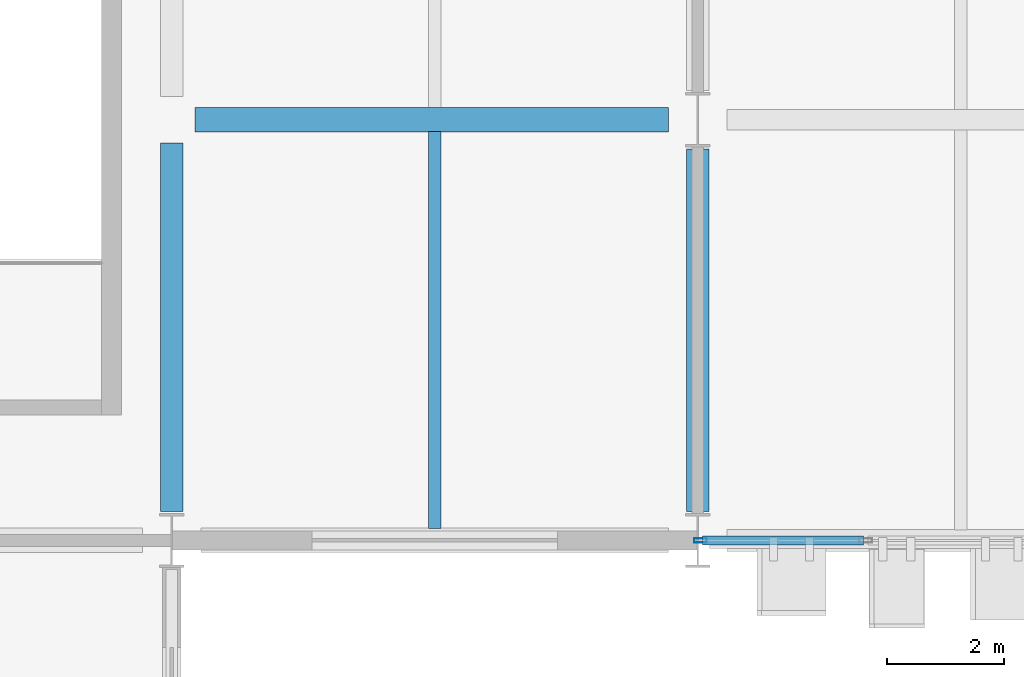
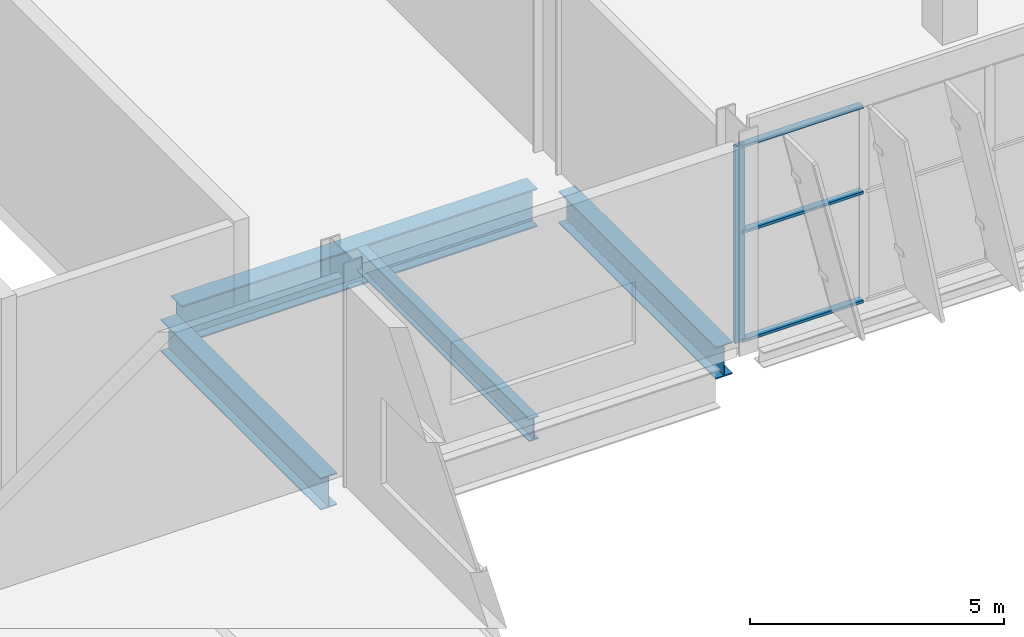
# One storey, part 20 of 137: 4 beams, 4 members, 1 element without a shape of its own.
"""IFC4 building model written with IfcOpenShell, lengths in metres."""

from ifc_helpers import new_model, si_unit, direction, frame, origin, origin_2d, place, context, subcontext, project, spatial, hollow_rectangle, i_section, extrude, material, layer, layer_set, material_profile, profile_set, type_object, element, aggregate, save


model = new_model("IFC4")

# Units and contexts
model_context = context("Model", 3, precision=1e-05, world=origin(), true_north=direction((0.0, 1.0)))
body_context = subcontext(model_context, "Body", "Model", "MODEL_VIEW")
ifc_project = project(units=[si_unit("LENGTHUNIT", "METRE"), si_unit("AREAUNIT", "SQUARE_METRE"), si_unit("VOLUMEUNIT", "CUBIC_METRE"), si_unit("PLANEANGLEUNIT", "RADIAN"), si_unit("MASSUNIT", "GRAM", prefix="KILO")], contexts=[model_context])

# Site, building, storey
site_placement = place(None, origin())
site = spatial("IfcSite", under=ifc_project, at=site_placement, CompositionType="ELEMENT")
building_placement = place(site_placement, origin())
building = spatial("IfcBuilding", under=site, at=building_placement, Name="Celestram Park Convention Centre", CompositionType="ELEMENT")
storey_placement = place(building_placement, origin())
storey = spatial("IfcBuildingStorey", under=building, at=storey_placement, Name="L00", CompositionType="ELEMENT", Elevation=0.0)

# Curtain wall, members
ifc_material_1 = material(Name="Anodised Aluminium Alloy 6063-T6", Category="aluminium")
ifc_layer = layer(ifc_material_1, 0.179931640625)
ifc_layer_set = layer_set([ifc_layer], Name="Anodised Aluminium Alloy 6063-T6")
curtain_wall_type = type_object("IfcCurtainWallType", Name="ARC-CW-859X475", PredefinedType="NOTDEFINED", material=ifc_layer_set)
curtain_wall_placement = place(storey_placement, origin())
curtain_wall = element("IfcCurtainWall", 1, at=curtain_wall_placement, inside=storey, type_object=curtain_wall_type, Name="Unitised curtain wall CU-L00-037", PredefinedType="NOTDEFINED")
ifc_material_profile_1 = material_profile(ifc_material_1, hollow_rectangle(XDim=0.074951171875, YDim=0.219970703125, WallThickness=0.00390625, at=origin_2d()), Name="ALU75X220X4")
ifc_profile_set_1 = profile_set([ifc_material_profile_1], Name="Anodised Aluminium Alloy 6063-T6")
member_type_1 = type_object("IfcMemberType", Name="ARC-CWM-180", PredefinedType="MULLION", material=ifc_profile_set_1)
member_1_placement = place(storey_placement, frame((126.047607421875, 21.60009765625, 0.0), z_axis=(0.0, 0.0, 1.0), x_axis=(0.0, -1.0, 0.0)))
member_1 = element("IfcMember", 2, at=member_1_placement, type_object=member_type_1, Name="CW-85X47 mullion 4", PredefinedType="MULLION", context=body_context, shape_type="SweptSolid", body=[
    extrude(hollow_rectangle(XDim=0.074951171875, YDim=0.219970703125, WallThickness=0.00390625, at=origin_2d()), origin(), (0.0, 0.0, 1.0), 4.7470703125),
])
ifc_material_profile_2 = material_profile(ifc_material_1, hollow_rectangle(XDim=0.14990234375, YDim=0.06494140625, WallThickness=0.0029296875, at=origin_2d()), Name="ALU150X65X3")
ifc_profile_set_2 = profile_set([ifc_material_profile_2], Name="Anodised Aluminium Alloy 6063-T6")
member_type_2 = type_object("IfcMemberType", Name="ARC-CWT-150", PredefinedType="USERDEFINED", material=ifc_profile_set_2)
member_2_placement = place(storey_placement, frame((128.83642578125, 21.60009765625, 0.032470703125), z_axis=(-1.0, 0.0, 0.0), x_axis=(0.0, -1.0, 0.0)))
member_2 = element("IfcMember", 3, at=member_2_placement, type_object=member_type_2, Name="CW-85X47 transom 3.1", ObjectType="TRANSOM", PredefinedType="USERDEFINED", context=body_context, shape_type="SweptSolid", body=[
    extrude(hollow_rectangle(XDim=0.14990234375, YDim=0.06494140625, WallThickness=0.0029296875, at=origin_2d()), origin(), (0.0, 0.0, 1.0), 2.75146484375),
])
member_3_placement = place(storey_placement, frame((128.83642578125, 21.60009765625, 2.64990234375), z_axis=(-1.0, 0.0, 0.0), x_axis=(0.0, -1.0, 0.0)))
member_3 = element("IfcMember", 4, at=member_3_placement, type_object=member_type_2, Name="CW-85X47 transom 3.2", ObjectType="TRANSOM", PredefinedType="USERDEFINED", context=body_context, shape_type="SweptSolid", body=[
    extrude(hollow_rectangle(XDim=0.14990234375, YDim=0.06494140625, WallThickness=0.0029296875, at=origin_2d()), origin(), (0.0, 0.0, 1.0), 2.75146484375),
])
member_4_placement = place(storey_placement, frame((128.83642578125, 21.60009765625, 4.714599609375), z_axis=(-1.0, 0.0, 0.0), x_axis=(0.0, -1.0, 0.0)))
member_4 = element("IfcMember", 5, at=member_4_placement, type_object=member_type_2, Name="CW-85X47 transom 3.3", ObjectType="TRANSOM", PredefinedType="USERDEFINED", context=body_context, shape_type="SweptSolid", body=[
    extrude(hollow_rectangle(XDim=0.14990234375, YDim=0.06494140625, WallThickness=0.0029296875, at=origin_2d()), origin(), (0.0, 0.0, 1.0), 2.75146484375),
])
aggregate(curtain_wall, [member_1, member_2, member_3, member_4])

# Beams
ifc_material_2 = material(Name="Steel ASTM A992 Grade 50", Category="steel")
ifc_material_profile_3 = material_profile(ifc_material_2, i_section(OverallWidth=0.381103515625, OverallDepth=0.77197265625, WebThickness=0.0166015625, FlangeThickness=0.027099609375, at=origin_2d()), Name="W30X173")
ifc_profile_set_3 = profile_set([ifc_material_profile_3], Name="Steel ASTM A992 Grade 50")
beam_type_1 = type_object("IfcBeamType", Name="STR-BM-W30X173", PredefinedType="BEAM", material=ifc_profile_set_3)
beam_1_placement = place(storey_placement, frame((117.0, 22.097900390625, -0.74609375), z_axis=(0.0, 1.0, 0.0), x_axis=(-1.0, 0.0, 0.0)))
element("IfcBeam", 6, at=beam_1_placement, inside=storey, type_object=beam_type_1, Name="Primary Y-girder BG-L00-0544", PredefinedType="BEAM", context=body_context, shape_type="SweptSolid", body=[
    extrude(i_section(OverallWidth=0.381103515625, OverallDepth=0.77197265625, WebThickness=0.0166015625, FlangeThickness=0.027099609375, at=origin_2d()), origin(), (0.0, 0.0, 1.0), 6.30419921875),
])
beam_2_placement = place(storey_placement, frame((126.0, 22.097900390625, -0.74609375), z_axis=(0.0, 1.0, 0.0), x_axis=(-1.0, 0.0, 0.0)))
element("IfcBeam", 7, at=beam_2_placement, inside=storey, type_object=beam_type_1, Name="Primary Y-girder BG-L00-0584", PredefinedType="BEAM", context=body_context, shape_type="SweptSolid", body=[
    extrude(i_section(OverallWidth=0.381103515625, OverallDepth=0.77197265625, WebThickness=0.0166015625, FlangeThickness=0.027099609375, at=origin_2d()), origin(), (0.0, 0.0, 1.0), 6.2041015625),
])
ifc_material_profile_4 = material_profile(ifc_material_2, i_section(OverallWidth=0.4189453125, OverallDepth=0.927001953125, WebThickness=0.019287109375, FlangeThickness=0.031982421875, at=origin_2d()), Name="W36X231")
ifc_profile_set_4 = profile_set([ifc_material_profile_4], Name="Steel ASTM A992 Grade 50")
beam_type_2 = type_object("IfcBeamType", Name="STR-BM-W36X231", PredefinedType="BEAM", material=ifc_profile_set_4)
beam_3_placement = place(storey_placement, frame((117.39794921875, 28.800048828125, -0.823486328125), z_axis=(1.0, 0.0, 0.0), x_axis=(0.0, 1.0, 0.0)))
element("IfcBeam", 8, at=beam_3_placement, inside=storey, type_object=beam_type_2, Name="Primary X-girder BG-L00-0545", PredefinedType="BEAM", context=body_context, shape_type="SweptSolid", body=[
    extrude(i_section(OverallWidth=0.4189453125, OverallDepth=0.927001953125, WebThickness=0.019287109375, FlangeThickness=0.031982421875, at=origin_2d()), origin(), (0.0, 0.0, 1.0), 8.10400390625),
])
ifc_material_profile_5 = material_profile(ifc_material_2, i_section(OverallWidth=0.214111328125, OverallDepth=0.549072265625, WebThickness=0.0146484375, FlangeThickness=0.023681640625, at=origin_2d()), Name="W21X93")
ifc_profile_set_5 = profile_set([ifc_material_profile_5], Name="Steel ASTM A992 Grade 50")
beam_type_3 = type_object("IfcBeamType", Name="STR-JST-W21X93", PredefinedType="JOIST", material=ifc_profile_set_5)
beam_4_placement = place(storey_placement, frame((121.5, 21.804931640625, -0.634521484375), z_axis=(0.0, 1.0, 0.0), x_axis=(-1.0, 0.0, 0.0)))
element("IfcBeam", 9, at=beam_4_placement, inside=storey, type_object=beam_type_3, Name="Secondary composite joist BG-L00-1123", PredefinedType="JOIST", context=body_context, shape_type="SweptSolid", body=[
    extrude(i_section(OverallWidth=0.214111328125, OverallDepth=0.549072265625, WebThickness=0.0146484375, FlangeThickness=0.023681640625, at=origin_2d()), origin(), (0.0, 0.0, 1.0), 6.7900390625),
])

save(model, "model.ifc")
